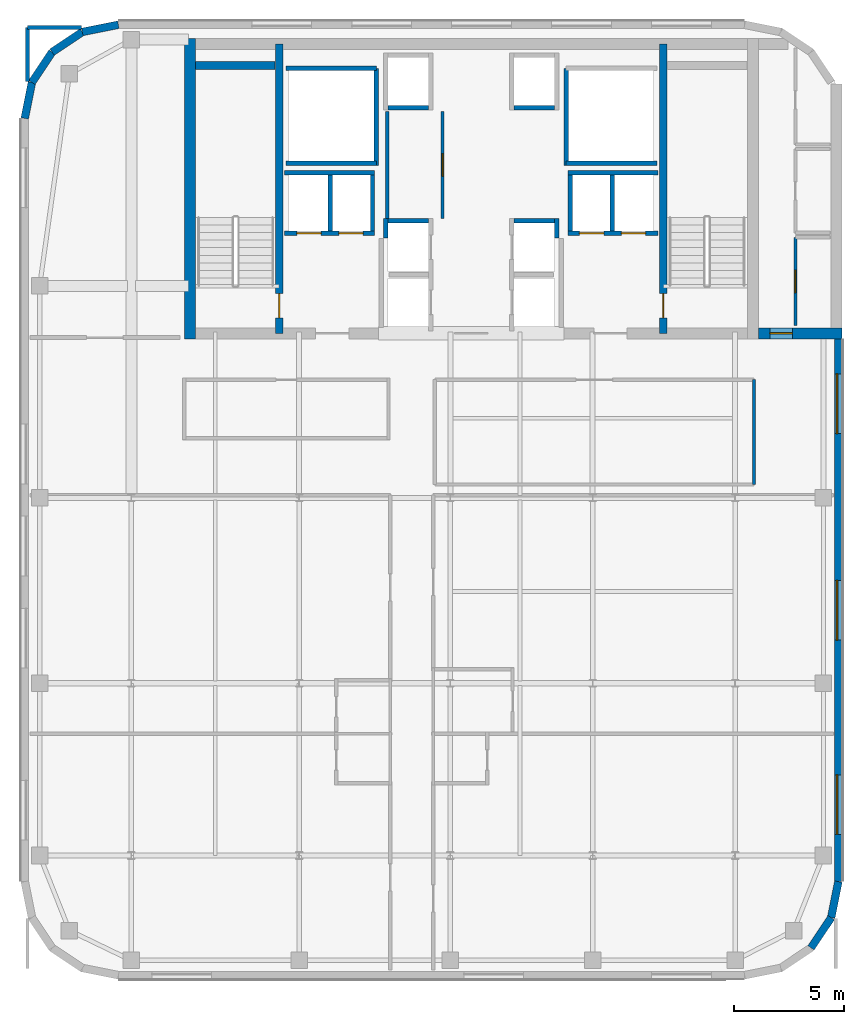
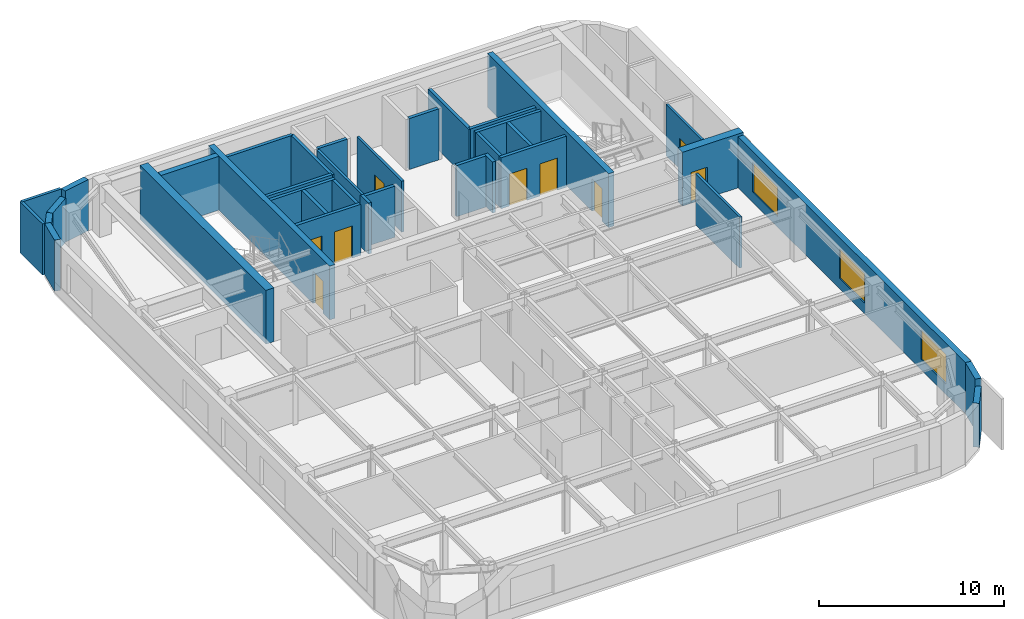
# One storey, part 5 of 10: 37 walls, 9 doors, 3 windows, 12 openings.
"""IFC4 building model written with IfcOpenShell, lengths in metres."""

from ifc_helpers import new_model, si_unit, direction, frame, frame_2d, origin, place, context, subcontext, project, spatial, rectangle, extrude, source, transform, mapped, material, layer, layer_set, type_object, type_shapes, element, fill, save


model = new_model("IFC4")

# Units and contexts
model_context = context("Model", 3, precision=1e-05, world=origin(), true_north=direction((0.0, 1.0)))
body_context = subcontext(model_context, "Body", "Model", "MODEL_VIEW")
ifc_project = project(units=[si_unit("LENGTHUNIT", "METRE"), si_unit("AREAUNIT", "SQUARE_METRE"), si_unit("VOLUMEUNIT", "CUBIC_METRE"), si_unit("PLANEANGLEUNIT", "RADIAN"), si_unit("MASSUNIT", "GRAM", prefix="KILO")], contexts=[model_context])

# Site, building, storey
site_placement = place(None, origin())
site = spatial("IfcSite", under=ifc_project, at=site_placement, CompositionType="ELEMENT")
building_placement = place(site_placement, origin())
building = spatial("IfcBuilding", under=site, at=building_placement, Name="Tolvann Quenvar Hotel", CompositionType="ELEMENT")
storey_placement = place(building_placement, frame((0.0, 0.0, 220.35009765625)))
storey = spatial("IfcBuildingStorey", under=building, at=storey_placement, Name="L58", CompositionType="ELEMENT", Elevation=220.35009765625)

# Wall
ifc_material_1 = material(Name="Concrete N50 (50 MPa)", Category="concrete")
ifc_layer_1 = layer(ifc_material_1, 0.5)
ifc_layer_set_1 = layer_set([ifc_layer_1], Name="Concrete N50 (50 MPa)")
wall_type_1 = type_object("IfcWallType", Name="WALL_CORE_500", PredefinedType="SHEAR", material=ifc_layer_set_1)
wall_1_placement = place(storey_placement, frame((10.25, 31.60009765625, 0.0), z_axis=(0.0, 0.0, 1.0), x_axis=(0.0, 1.0, 0.0)))
element("IfcWall", 1, at=wall_1_placement, inside=storey, type_object=wall_type_1, Name="Rear Core W Shear Wall (L58)", PredefinedType="SHEAR", context=body_context, shape_type="SweptSolid", body=[
    extrude(rectangle(XDim=13.599853515625, YDim=0.5, at=frame_2d((6.7998046875, 0.0))), origin(), (0.0, 0.0, 1.0), 3.5498046875),
])

# Wall, opening, door
wall_2_placement = place(storey_placement, frame((36.0, 31.85009765625, 0.0), z_axis=(0.0, 0.0, 1.0), x_axis=(1.0, 0.0, 0.0)))
wall_2 = element("IfcWall", 2, at=wall_2_placement, inside=storey, type_object=wall_type_1, Name="Core East Annex Shear Wall ANN-S (L58)", PredefinedType="SHEAR", context=body_context, shape_type="SweptSolid", body=[
    extrude(rectangle(XDim=3.800048828125, YDim=0.5, at=frame_2d((1.89990234375, 0.0))), origin(), (0.0, 0.0, 1.0), 3.5498046875),
])
opening_1_placement = place(wall_2_placement, frame((1.5400390625, 0.0, 0.0), z_axis=(0.0, 0.0, 1.0), x_axis=(-1.0, 0.0, 0.0)))
opening_1 = element("IfcOpeningElement", 3, at=opening_1_placement, cuts=wall_2, Name="Opening HD-01", PredefinedType="OPENING", context=body_context, shape_type="SweptSolid", body=[
    extrude(rectangle(XDim=1.02001953125, YDim=2.030029296875, at=frame_2d((0.510009765625, 1.01513671875))), frame((0.0, 0.260009765625, 0.0), z_axis=(0.0, -1.0, 0.0), x_axis=(1.0, 0.0, 0.0)), (0.0, 0.0, 1.0), 0.52001953125),
])
ifc_material_2 = material(Name="Pressed galvanised steel fire-rated door set", Category="steel")
door_type_1 = type_object("IfcDoorType", Name="DOOR_BOH_1020", OperationType="NOTDEFINED", PredefinedType="DOOR", material=ifc_material_2)
shared_shape_1 = source(origin(), body_context, "Body", "SweptSolid", [
    extrude(rectangle(XDim=1.02001953125, YDim=2.030029296875, at=frame_2d((0.510009765625, 1.01513671875))), frame((0.0, 0.02490234375, 0.0), z_axis=(0.0, -1.0, 0.0), x_axis=(1.0, 0.0, 0.0)), (0.0, 0.0, 1.0), 0.050048828125),
])
type_shapes(door_type_1, [shared_shape_1])
door_1_placement = place(opening_1_placement, origin())
door_1 = element("IfcDoor", 4, at=door_1_placement, inside=storey, type_object=door_type_1, Name="Housekeeping Annex Fire Door (L58)", OperationType="SINGLE_SWING_LEFT", OverallHeight=2.030029296875, OverallWidth=1.02001953125, PredefinedType="DOOR", context=body_context, shape_type="MappedRepresentation", body=[
    mapped(shared_shape_1, transform((0.0, 0.0, 0.0), x_axis=(1.0, 0.0, 0.0), y_axis=(0.0, 1.0, 0.0), z_axis=(0.0, 0.0, 1.0), scale=1.0)),
])
fill(opening_1, door_1)

ifc_material_3 = material(Name="Concrete S65 (65 MPa)", Category="concrete")
ifc_layer_2 = layer(ifc_material_3, 0.35009765625)
ifc_layer_set_2 = layer_set([ifc_layer_2], Name="Concrete S65 (65 MPa)")
wall_type_2 = type_object("IfcWallType", Name="WALL_CORE_INT_350", PredefinedType="SHEAR", material=ifc_layer_set_2)
wall_3_placement = place(storey_placement, frame((14.300048828125, 31.85009765625, 0.0), z_axis=(0.0, 0.0, 1.0), x_axis=(0.0, 1.0, 0.0)))
wall_3 = element("IfcWall", 5, at=wall_3_placement, inside=storey, type_object=wall_type_2, Name="Core Internal Web Shear Wall WEB-W (L58)", PredefinedType="SHEAR", context=body_context, shape_type="SweptSolid", body=[
    extrude(rectangle(XDim=13.099853515625, YDim=0.35009765625, at=frame_2d((6.5498046875, 0.0))), origin(), (0.0, 0.0, 1.0), 3.5498046875),
])
opening_2_placement = place(wall_3_placement, frame((0.699951171875, 0.0, 0.0)))
opening_2 = element("IfcOpeningElement", 6, at=opening_2_placement, cuts=wall_3, Name="Opening FD-120", PredefinedType="OPENING", context=body_context, shape_type="SweptSolid", body=[
    extrude(rectangle(XDim=1.10009765625, YDim=2.1201171875, at=frame_2d((0.550048828125, 1.06005859375))), frame((0.0, 0.18505859375, 0.0), z_axis=(0.0, -1.0, 0.0), x_axis=(1.0, 0.0, 0.0)), (0.0, 0.0, 1.0), 0.3701171875),
])
door_type_2 = type_object("IfcDoorType", Name="DOOR_FIRE_STAIR_1100", OperationType="NOTDEFINED", PredefinedType="DOOR", material=ifc_material_2)
shared_shape_2 = source(origin(), body_context, "Body", "SweptSolid", [
    extrude(rectangle(XDim=1.10009765625, YDim=2.1201171875, at=frame_2d((0.550048828125, 1.06005859375))), frame((0.0, 0.02490234375, 0.0), z_axis=(0.0, -1.0, 0.0), x_axis=(1.0, 0.0, 0.0)), (0.0, 0.0, 1.0), 0.050048828125),
])
type_shapes(door_type_2, [shared_shape_2])
door_2_placement = place(opening_2_placement, origin())
door_2 = element("IfcDoor", 7, at=door_2_placement, inside=storey, type_object=door_type_2, Name="Exit Stair ST-C1 Fire Door (L58)", OperationType="SINGLE_SWING_LEFT", OverallHeight=2.1201171875, OverallWidth=1.10009765625, PredefinedType="DOOR", context=body_context, shape_type="MappedRepresentation", body=[
    mapped(shared_shape_2, transform((0.0, 0.0, 0.0), x_axis=(1.0, 0.0, 0.0), y_axis=(0.0, 1.0, 0.0), z_axis=(0.0, 0.0, 1.0), scale=1.0)),
])
fill(opening_2, door_2)

wall_4_placement = place(storey_placement, frame((31.699951171875, 31.85009765625, 0.0), z_axis=(0.0, 0.0, 1.0), x_axis=(0.0, 1.0, 0.0)))
wall_4 = element("IfcWall", 8, at=wall_4_placement, inside=storey, type_object=wall_type_2, Name="Core Internal Web Shear Wall WEB-E (L58)", PredefinedType="SHEAR", context=body_context, shape_type="SweptSolid", body=[
    extrude(rectangle(XDim=13.099853515625, YDim=0.35009765625, at=frame_2d((6.5498046875, 0.0))), origin(), (0.0, 0.0, 1.0), 3.5498046875),
])
opening_3_placement = place(wall_4_placement, frame((1.800048828125, 0.0, 0.0), z_axis=(0.0, 0.0, 1.0), x_axis=(-1.0, 0.0, 0.0)))
opening_3 = element("IfcOpeningElement", 9, at=opening_3_placement, cuts=wall_4, Name="Opening FD-120", PredefinedType="OPENING", context=body_context, shape_type="SweptSolid", body=[
    extrude(rectangle(XDim=1.10009765625, YDim=2.1201171875, at=frame_2d((0.550048828125, 1.06005859375))), frame((0.0, 0.18505859375, 0.0), z_axis=(0.0, -1.0, 0.0), x_axis=(1.0, 0.0, 0.0)), (0.0, 0.0, 1.0), 0.3701171875),
])
door_3_placement = place(opening_3_placement, origin())
door_3 = element("IfcDoor", 10, at=door_3_placement, inside=storey, type_object=door_type_2, Name="Exit Stair ST-C2 Fire Door (L58)", OperationType="SINGLE_SWING_RIGHT", OverallHeight=2.1201171875, OverallWidth=1.10009765625, PredefinedType="DOOR", context=body_context, shape_type="MappedRepresentation", body=[
    mapped(shared_shape_2, transform((0.0, 0.0, 0.0), x_axis=(1.0, 0.0, 0.0), y_axis=(0.0, 1.0, 0.0), z_axis=(0.0, 0.0, 1.0), scale=1.0)),
])
fill(opening_3, door_3)

# Walls
wall_5_placement = place(storey_placement, frame((10.52001953125, 43.97509765625, 0.0), z_axis=(0.0, 0.0, 1.0), x_axis=(1.0, 0.0, 0.0)))
element("IfcWall", 11, at=wall_5_placement, inside=storey, type_object=wall_type_2, Name="Core Stair North Closing Shear Wall STC1-N (L58)", PredefinedType="SHEAR", context=body_context, shape_type="SweptSolid", body=[
    extrude(rectangle(XDim=3.60009765625, YDim=0.35009765625, at=frame_2d((1.800048828125, 0.0))), origin(), (0.0, 0.0, 1.0), 3.5498046875),
])
ifc_material_4 = material(Name="Kiln-fired red and buff architectural clay brickwork and terracotta masonry", Category="masonry")
ifc_layer_3 = layer(ifc_material_4, 0.35009765625)
ifc_layer_set_3 = layer_set([ifc_layer_3], Name="Kiln-fired red and buff architectural clay brickwork and terracotta masonry")
wall_type_3 = type_object("IfcWallType", Name="WALL_EXT_BRICK_350", PredefinedType="SOLIDWALL", material=ifc_layer_set_3)
wall_6_placement = place(storey_placement, frame((38.385009765625, 4.014892578125, 0.0), z_axis=(0.0, 0.0, 1.0), x_axis=(0.555623290322, 0.831434158098, 0.0)))
element("IfcWall", 12, at=wall_6_placement, inside=storey, type_object=wall_type_3, Name="Exterior Chicago Brick Wall L58-E07", PredefinedType="SOLIDWALL", context=body_context, shape_type="SweptSolid", body=[
    extrude(rectangle(XDim=1.647216796875, YDim=0.35009765625, at=frame_2d((0.82373046875, 0.0))), origin(), (0.0, 0.0, 1.0), 2.89990234375),
])
wall_7_placement = place(storey_placement, frame((39.30029296875, 5.384521484375, 0.0), z_axis=(0.0, 0.0, 1.0), x_axis=(0.195072403631, 0.980788844421, 0.0)))
element("IfcWall", 13, at=wall_7_placement, inside=storey, type_object=wall_type_3, Name="Exterior Chicago Brick Wall L58-E08", PredefinedType="SOLIDWALL", context=body_context, shape_type="SweptSolid", body=[
    extrude(rectangle(XDim=1.66455078125, YDim=0.35009765625, at=frame_2d((0.832275390625, 0.0))), origin(), (0.0, 0.0, 1.0), 3.369873046875),
])

# Wall, openings, windows
wall_8_placement = place(storey_placement, frame((39.625, 7.01708984375, 0.0), z_axis=(0.0, 0.0, 1.0), x_axis=(0.0, 1.0, 0.0)))
wall_8 = element("IfcWall", 14, at=wall_8_placement, inside=storey, type_object=wall_type_3, Name="Exterior Chicago Brick Wall L58-E09", PredefinedType="SOLIDWALL", context=body_context, shape_type="SweptSolid", body=[
    extrude(rectangle(XDim=24.578857421875, YDim=0.35009765625, at=frame_2d((12.28955078125, 0.0))), origin(), (0.0, 0.0, 1.0), 3.369873046875),
])
opening_4_placement = place(wall_8_placement, frame((2.137939453125, 0.0, 0.679931640625)))
opening_4 = element("IfcOpeningElement", 15, at=opening_4_placement, cuts=wall_8, Name="Opening W-04", PredefinedType="OPENING", context=body_context, shape_type="SweptSolid", body=[
    extrude(rectangle(XDim=2.699951171875, YDim=1.949951171875, at=frame_2d((1.35009765625, 0.97509765625))), frame((0.0, 0.18505859375, 0.0), z_axis=(0.0, -1.0, 0.0), x_axis=(1.0, 0.0, 0.0)), (0.0, 0.0, 1.0), 0.3701171875),
])
opening_5_placement = place(wall_8_placement, frame((10.93896484375, 0.0, 0.679931640625)))
opening_5 = element("IfcOpeningElement", 16, at=opening_5_placement, cuts=wall_8, Name="Opening W-04", PredefinedType="OPENING", context=body_context, shape_type="SweptSolid", body=[
    extrude(rectangle(XDim=2.699951171875, YDim=1.949951171875, at=frame_2d((1.35009765625, 0.97509765625))), frame((0.0, 0.18505859375, 0.0), z_axis=(0.0, -1.0, 0.0), x_axis=(1.0, 0.0, 0.0)), (0.0, 0.0, 1.0), 0.3701171875),
])
opening_6_placement = place(wall_8_placement, frame((20.291015625, 0.0, 0.679931640625)))
opening_6 = element("IfcOpeningElement", 17, at=opening_6_placement, cuts=wall_8, Name="Opening W-04", PredefinedType="OPENING", context=body_context, shape_type="SweptSolid", body=[
    extrude(rectangle(XDim=2.699951171875, YDim=1.949951171875, at=frame_2d((1.35009765625, 0.97509765625))), frame((0.0, 0.18505859375, 0.0), z_axis=(0.0, -1.0, 0.0), x_axis=(1.0, 0.0, 0.0)), (0.0, 0.0, 1.0), 0.3701171875),
])
ifc_material_5 = material(Name="Thermally broken bronze-anodised aluminium frame with double low-E glazing", Category="aluminium")
window_type = type_object("IfcWindowType", Name="WIN_STE_2700x2150", PartitioningType="TRIPLE_PANEL_HORIZONTAL", PredefinedType="WINDOW", material=ifc_material_5)
shared_shape_3 = source(origin(), body_context, "Body", "SweptSolid", [
    extrude(rectangle(XDim=2.699951171875, YDim=1.949951171875, at=frame_2d((1.35009765625, 0.97509765625))), frame((0.0, 0.090087890625, 0.0), z_axis=(0.0, -1.0, 0.0), x_axis=(1.0, 0.0, 0.0)), (0.0, 0.0, 1.0), 0.06005859375),
])
type_shapes(window_type, [shared_shape_3])
window_1_placement = place(opening_4_placement, origin())
window_1 = element("IfcWindow", 18, at=window_1_placement, inside=storey, type_object=window_type, Name="Chicago Window W-04 (EW-L58-E09-W01)", OverallHeight=1.949951171875, OverallWidth=2.699951171875, PartitioningType="TRIPLE_PANEL_HORIZONTAL", PredefinedType="WINDOW", context=body_context, shape_type="MappedRepresentation", body=[
    mapped(shared_shape_3, transform((0.0, 0.0, 0.0), x_axis=(1.0, 0.0, 0.0), y_axis=(0.0, 1.0, 0.0), z_axis=(0.0, 0.0, 1.0), scale=1.0)),
])
fill(opening_4, window_1)
window_2_placement = place(opening_5_placement, origin())
window_2 = element("IfcWindow", 19, at=window_2_placement, inside=storey, type_object=window_type, Name="Chicago Window W-04 (EW-L58-E09-W02)", OverallHeight=1.949951171875, OverallWidth=2.699951171875, PartitioningType="TRIPLE_PANEL_HORIZONTAL", PredefinedType="WINDOW", context=body_context, shape_type="MappedRepresentation", body=[
    mapped(shared_shape_3, transform((0.0, 0.0, 0.0), x_axis=(1.0, 0.0, 0.0), y_axis=(0.0, 1.0, 0.0), z_axis=(0.0, 0.0, 1.0), scale=1.0)),
])
fill(opening_5, window_2)
window_3_placement = place(opening_6_placement, origin())
window_3 = element("IfcWindow", 20, at=window_3_placement, inside=storey, type_object=window_type, Name="Chicago Window W-04 (EW-L58-E09-W03)", OverallHeight=1.949951171875, OverallWidth=2.699951171875, PartitioningType="TRIPLE_PANEL_HORIZONTAL", PredefinedType="WINDOW", context=body_context, shape_type="MappedRepresentation", body=[
    mapped(shared_shape_3, transform((0.0, 0.0, 0.0), x_axis=(1.0, 0.0, 0.0), y_axis=(0.0, 1.0, 0.0), z_axis=(0.0, 0.0, 1.0), scale=1.0)),
])
fill(opening_6, window_3)

# Walls
wall_9_placement = place(storey_placement, frame((7.01708984375, 45.824951171875, 0.0), z_axis=(0.0, 0.0, 1.0), x_axis=(-0.980788844421, -0.195072403631, 0.0)))
element("IfcWall", 21, at=wall_9_placement, inside=storey, type_object=wall_type_3, Name="Exterior Chicago Brick Wall L58-E15", PredefinedType="SOLIDWALL", context=body_context, shape_type="SweptSolid", body=[
    extrude(rectangle(XDim=1.66455078125, YDim=0.35009765625, at=frame_2d((0.832275390625, 0.0))), origin(), (0.0, 0.0, 1.0), 3.369873046875),
])
for number, where, z_axis, x_axis, name in (
    (22, (5.384521484375, 45.500244140625, 0.0), (0.0, 0.0, 1.0), (-0.831502623162, -0.555520825599, 0.0), "Exterior Chicago Brick Wall L58-E16"),
    (23, (4.014892578125, 44.585205078125, 0.0), (0.0, 0.0, 1.0), (-0.555623290322, -0.831434158098, 0.0), "Exterior Chicago Brick Wall L58-E17"),
):
    element("IfcWall", number, at=place(storey_placement, frame(where, z_axis=z_axis, x_axis=x_axis)), inside=storey, type_object=wall_type_3, Name=name, PredefinedType="SOLIDWALL", context=body_context, shape_type="SweptSolid", body=[
        extrude(rectangle(XDim=1.647216796875, YDim=0.35009765625, at=frame_2d((0.82373046875, 0.0))), origin(), (0.0, 0.0, 1.0), 2.89990234375),
    ])
wall_10_placement = place(storey_placement, frame((3.099609375, 43.215576171875, 0.0), z_axis=(0.0, 0.0, 1.0), x_axis=(-0.195044345786, -0.980794424524, 0.0)))
element("IfcWall", 24, at=wall_10_placement, inside=storey, type_object=wall_type_3, Name="Exterior Chicago Brick Wall L58-E18", PredefinedType="SOLIDWALL", context=body_context, shape_type="SweptSolid", body=[
    extrude(rectangle(XDim=1.664794921875, YDim=0.35009765625, at=frame_2d((0.83251953125, 0.0))), origin(), (0.0, 0.0, 1.0), 3.369873046875),
])
ifc_material_6 = material(Name="Acoustic twin-stud fire-rated gypsum plasterboard partition")
ifc_layer_4 = layer(ifc_material_6, 0.179931640625)
ifc_layer_set_4 = layer_set([ifc_layer_4], Name="Acoustic twin-stud fire-rated gypsum plasterboard partition")
wall_type_4 = type_object("IfcWallType", Name="WALL_PART_ACOUSTIC_180", PredefinedType="PARTITIONING", material=ifc_layer_set_4)
for number, where, z_axis, x_axis, name in (
    (25, (2.89990234375, 45.699951171875, 0.0), (0.0, 0.0, 1.0), (1.0, 0.0, 0.0), "Interior Partition PT-SPC-L58-SAL-N"),
    (26, (2.89990234375, 43.2548828125, 0.0), (0.0, 0.0, 1.0), (0.0, 1.0, 0.0), "Interior Partition PT-SPC-L58-SAL-W"),
):
    element("IfcWall", number, at=place(storey_placement, frame(where, z_axis=z_axis, x_axis=x_axis)), inside=storey, type_object=wall_type_4, Name=name, PredefinedType="PARTITIONING", context=body_context, shape_type="SweptSolid", body=[
        extrude(rectangle(XDim=2.445068359375, YDim=0.179931640625, at=frame_2d((1.22265625, 0.0))), origin(), (0.0, 0.0, 1.0), 3.369873046875),
    ])

# Wall, opening, door
ifc_layer_5 = layer(ifc_material_6, 0.14990234375)
ifc_layer_set_5 = layer_set([ifc_layer_5], Name="Acoustic twin-stud fire-rated gypsum plasterboard partition")
wall_type_5 = type_object("IfcWallType", Name="WALL_PART_SUITE_150", PredefinedType="PARTITIONING", material=ifc_layer_set_5)
wall_11_placement = place(storey_placement, frame((21.699951171875, 37.050048828125, 0.0), z_axis=(0.0, 0.0, 1.0), x_axis=(0.0, 1.0, 0.0)))
wall_11 = element("IfcWall", 27, at=wall_11_placement, inside=storey, type_object=wall_type_5, Name="Interior Partition PT-SPC-L58-RECPM-1-ENT", PredefinedType="PARTITIONING", context=body_context, shape_type="SweptSolid", body=[
    extrude(rectangle(XDim=4.849853515625, YDim=0.14990234375, at=frame_2d((2.4248046875, 0.0))), origin(), (0.0, 0.0, 1.0), 3.369873046875),
])
opening_7_placement = place(wall_11_placement, frame((1.9150390625, 0.0, 0.0)))
opening_7 = element("IfcOpeningElement", 28, at=opening_7_placement, cuts=wall_11, Name="Opening HD-01", PredefinedType="OPENING", context=body_context, shape_type="SweptSolid", body=[
    extrude(rectangle(XDim=1.02001953125, YDim=2.030029296875, at=frame_2d((0.510009765625, 1.01513671875))), frame((0.0, 0.0849609375, 0.0), z_axis=(0.0, -1.0, 0.0), x_axis=(1.0, 0.0, 0.0)), (0.0, 0.0, 1.0), 0.169921875),
])
door_4_placement = place(opening_7_placement, origin())
door_4 = element("IfcDoor", 29, at=door_4_placement, inside=storey, type_object=door_type_1, Name="Interior Door DOOR-SPC-L58-RECPM-1", OperationType="SINGLE_SWING_LEFT", OverallHeight=2.030029296875, OverallWidth=1.02001953125, PredefinedType="DOOR", context=body_context, shape_type="MappedRepresentation", body=[
    mapped(shared_shape_1, transform((0.0, 0.0, 0.0), x_axis=(1.0, 0.0, 0.0), y_axis=(0.0, 1.0, 0.0), z_axis=(0.0, 0.0, 1.0), scale=1.0)),
])
fill(opening_7, door_4)

# Wall
wall_12_placement = place(storey_placement, frame((19.199951171875, 37.0400390625, 0.0), z_axis=(0.0, 0.0, 1.0), x_axis=(0.0, 1.0, 0.0)))
element("IfcWall", 30, at=wall_12_placement, inside=storey, type_object=wall_type_5, Name="Interior Partition PT-SPC-L58-RECPM-1-W", PredefinedType="PARTITIONING", context=body_context, shape_type="SweptSolid", body=[
    extrude(rectangle(XDim=4.85986328125, YDim=0.14990234375, at=frame_2d((2.429931640625, 0.0))), origin(), (0.0, 0.0, 1.0), 3.369873046875),
])

# Wall, opening, door
wall_13_placement = place(storey_placement, frame((37.679931640625, 32.199951171875, 0.0), z_axis=(0.0, 0.0, 1.0), x_axis=(0.0, 1.0, 0.0)))
wall_13 = element("IfcWall", 31, at=wall_13_placement, inside=storey, type_object=wall_type_5, Name="Interior Partition PT-SPC-L58-RECPL-1-W", PredefinedType="PARTITIONING", context=body_context, shape_type="SweptSolid", body=[
    extrude(rectangle(XDim=4.0, YDim=0.14990234375, at=frame_2d((2.0, 0.0))), origin(), (0.0, 0.0, 1.0), 3.369873046875),
])
opening_8_placement = place(wall_13_placement, frame((1.489990234375, 0.0, 0.0)))
opening_8 = element("IfcOpeningElement", 32, at=opening_8_placement, cuts=wall_13, Name="Opening HD-01", PredefinedType="OPENING", context=body_context, shape_type="SweptSolid", body=[
    extrude(rectangle(XDim=1.02001953125, YDim=2.030029296875, at=frame_2d((0.510009765625, 1.01513671875))), frame((0.0, 0.0849609375, 0.0), z_axis=(0.0, -1.0, 0.0), x_axis=(1.0, 0.0, 0.0)), (0.0, 0.0, 1.0), 0.169921875),
])
door_5_placement = place(opening_8_placement, origin())
door_5 = element("IfcDoor", 33, at=door_5_placement, inside=storey, type_object=door_type_1, Name="Interior Door DOOR-SPC-L58-RECPL-1", OperationType="SINGLE_SWING_RIGHT", OverallHeight=2.030029296875, OverallWidth=1.02001953125, PredefinedType="DOOR", context=body_context, shape_type="MappedRepresentation", body=[
    mapped(shared_shape_1, transform((0.0, 0.0, 0.0), x_axis=(1.0, 0.0, 0.0), y_axis=(0.0, 1.0, 0.0), z_axis=(0.0, 0.0, 1.0), scale=1.0)),
])
fill(opening_8, door_5)

# Walls
wall_14_placement = place(storey_placement, frame((35.800048828125, 25.0, 0.0), z_axis=(0.0, 0.0, 1.0), x_axis=(0.0, 1.0, 0.0)))
element("IfcWall", 34, at=wall_14_placement, inside=storey, type_object=wall_type_5, Name="Interior Partition PT-SPC-L58-LOUNGE-E", PredefinedType="PARTITIONING", context=body_context, shape_type="SweptSolid", body=[
    extrude(rectangle(XDim=4.75, YDim=0.14990234375, at=frame_2d((2.375, 0.0))), origin(), (0.0, 0.0, 1.0), 3.369873046875),
])
ifc_material_7 = material(Name="Concrete N40 (40 MPa)", Category="concrete")
ifc_layer_6 = layer(ifc_material_7, 0.199951171875)
ifc_layer_set_6 = layer_set([ifc_layer_6], Name="Concrete N40 (40 MPa)")
wall_type_6 = type_object("IfcWallType", Name="WALL_SHAFT_200", PredefinedType="SOLIDWALL", material=ifc_layer_set_6)
wall_15_placement = place(storey_placement, frame((18.699951171875, 39.449951171875, 0.0), z_axis=(0.0, 0.0, 1.0), x_axis=(0.0, 1.0, 0.0)))
element("IfcWall", 35, at=wall_15_placement, inside=storey, type_object=wall_type_6, Name="Service Riser W Shaft Wall IN (L58)", PredefinedType="SOLIDWALL", context=body_context, shape_type="SweptSolid", body=[
    extrude(rectangle(XDim=4.400146484375, YDim=0.199951171875, at=frame_2d((2.2001953125, 0.0))), origin(), (0.0, 0.0, 1.0), 3.369873046875),
])
for number, where, z_axis, x_axis, name in (
    (36, (14.60009765625, 39.550048828125, 0.0), (0.0, 0.0, 1.0), (1.0, 0.0, 0.0), "Service Riser W Shaft Wall S (L58)"),
    (37, (14.60009765625, 43.85009765625, 0.0), (0.0, 0.0, 1.0), (1.0, 0.0, 0.0), "Service Riser W Shaft Wall N (L58)"),
):
    element("IfcWall", number, at=place(storey_placement, frame(where, z_axis=z_axis, x_axis=x_axis)), inside=storey, type_object=wall_type_6, Name=name, PredefinedType="SOLIDWALL", context=body_context, shape_type="SweptSolid", body=[
        extrude(rectangle(XDim=4.099853515625, YDim=0.199951171875, at=frame_2d((2.0498046875, 0.0))), origin(), (0.0, 0.0, 1.0), 3.369873046875),
    ])
wall_16_placement = place(storey_placement, frame((27.300048828125, 39.449951171875, 0.0), z_axis=(0.0, 0.0, 1.0), x_axis=(0.0, 1.0, 0.0)))
element("IfcWall", 38, at=wall_16_placement, inside=storey, type_object=wall_type_6, Name="Service Riser E Shaft Wall IN (L58)", PredefinedType="SOLIDWALL", context=body_context, shape_type="SweptSolid", body=[
    extrude(rectangle(XDim=4.400146484375, YDim=0.199951171875, at=frame_2d((2.2001953125, 0.0))), origin(), (0.0, 0.0, 1.0), 3.369873046875),
])
wall_17_placement = place(storey_placement, frame((27.300048828125, 39.550048828125, 0.0), z_axis=(0.0, 0.0, 1.0), x_axis=(1.0, 0.0, 0.0)))
element("IfcWall", 39, at=wall_17_placement, inside=storey, type_object=wall_type_6, Name="Service Riser E Shaft Wall S (L58)", PredefinedType="SOLIDWALL", context=body_context, shape_type="SweptSolid", body=[
    extrude(rectangle(XDim=4.099853515625, YDim=0.199951171875, at=frame_2d((2.0498046875, 0.0))), origin(), (0.0, 0.0, 1.0), 3.369873046875),
])
wall_18_placement = place(storey_placement, frame((19.1298828125, 36.159912109375, 0.0), z_axis=(0.0, 0.0, 1.0), x_axis=(0.0, 1.0, 0.0)))
element("IfcWall", 40, at=wall_18_placement, inside=storey, type_object=wall_type_6, Name="Lift Bank E21.1C1 Hoistway Rear Wall (L58)", PredefinedType="SOLIDWALL", context=body_context, shape_type="SweptSolid", body=[
    extrude(rectangle(XDim=0.880126953125, YDim=0.199951171875, at=frame_2d((0.43994140625, 0.0))), origin(), (0.0, 0.0, 1.0), 3.369873046875),
])
for number, where, z_axis, x_axis, name in (
    (41, (19.22998046875, 36.93994140625, 0.0), (0.0, 0.0, 1.0), (1.0, 0.0, 0.0), "Lift Bank E21.1C1 Hoistway Cheek Wall 2 (L58)"),
    (42, (19.22998046875, 42.06005859375, 0.0), (0.0, 0.0, 1.0), (1.0, 0.0, 0.0), "Lift Bank E21.1C2 Hoistway Cheek Wall 1 (L58)"),
):
    element("IfcWall", number, at=place(storey_placement, frame(where, z_axis=z_axis, x_axis=x_axis)), inside=storey, type_object=wall_type_6, Name=name, PredefinedType="SOLIDWALL", context=body_context, shape_type="SweptSolid", body=[
        extrude(rectangle(XDim=1.840087890625, YDim=0.199951171875, at=frame_2d((0.919921875, 0.0))), origin(), (0.0, 0.0, 1.0), 3.369873046875),
    ])

# Wall, openings, doors
wall_19_placement = place(storey_placement, frame((27.375, 36.3798828125, 0.0), z_axis=(0.0, 0.0, 1.0), x_axis=(1.0, 0.0, 0.0)))
wall_19 = element("IfcWall", 43, at=wall_19_placement, inside=storey, type_object=wall_type_6, Name="Lift Bank SEC1 Hoistway Front Wall (L58)", PredefinedType="SOLIDWALL", context=body_context, shape_type="SweptSolid", body=[
    extrude(rectangle(XDim=4.074951171875, YDim=0.199951171875, at=frame_2d((2.03759765625, 0.0))), origin(), (0.0, 0.0, 1.0), 3.369873046875),
])
opening_9_placement = place(wall_19_placement, frame((0.52490234375, 0.0, 0.0)))
opening_9 = element("IfcOpeningElement", 44, at=opening_9_placement, cuts=wall_19, Name="Opening LD-01", PredefinedType="OPENING", context=body_context, shape_type="SweptSolid", body=[
    extrude(rectangle(XDim=1.10009765625, YDim=2.1201171875, at=frame_2d((0.550048828125, 1.06005859375))), frame((0.0, 0.10986328125, 0.0), z_axis=(0.0, -1.0, 0.0), x_axis=(1.0, 0.0, 0.0)), (0.0, 0.0, 1.0), 0.219970703125),
])
opening_10_placement = place(wall_19_placement, frame((2.425048828125, 0.0, 0.0)))
opening_10 = element("IfcOpeningElement", 45, at=opening_10_placement, cuts=wall_19, Name="Opening LD-01", PredefinedType="OPENING", context=body_context, shape_type="SweptSolid", body=[
    extrude(rectangle(XDim=1.10009765625, YDim=2.1201171875, at=frame_2d((0.550048828125, 1.06005859375))), frame((0.0, 0.10986328125, 0.0), z_axis=(0.0, -1.0, 0.0), x_axis=(1.0, 0.0, 0.0)), (0.0, 0.0, 1.0), 0.219970703125),
])
ifc_material_8 = material(Name="Brushed 316 stainless steel automatic sliding lift landing door", Category="steel")
door_type_3 = type_object("IfcDoorType", Name="DOOR_LIFT_SLIDE_1100", OperationType="NOTDEFINED", PredefinedType="DOOR", material=ifc_material_8)
shared_shape_4 = source(origin(), body_context, "Body", "SweptSolid", [
    extrude(rectangle(XDim=1.10009765625, YDim=2.1201171875, at=frame_2d((0.550048828125, 1.06005859375))), frame((0.0, 0.02490234375, 0.0), z_axis=(0.0, -1.0, 0.0), x_axis=(1.0, 0.0, 0.0)), (0.0, 0.0, 1.0), 0.050048828125),
])
type_shapes(door_type_3, [shared_shape_4])
door_6_placement = place(opening_9_placement, origin())
door_6 = element("IfcDoor", 46, at=door_6_placement, inside=storey, type_object=door_type_3, Name="Lift SV-2 Sliding Landing Door (L58)", OperationType="SLIDING_TO_LEFT", OverallHeight=2.1201171875, OverallWidth=1.10009765625, PredefinedType="DOOR", context=body_context, shape_type="MappedRepresentation", body=[
    mapped(shared_shape_4, transform((0.0, 0.0, 0.0), x_axis=(1.0, 0.0, 0.0), y_axis=(0.0, 1.0, 0.0), z_axis=(0.0, 0.0, 1.0), scale=1.0)),
])
fill(opening_9, door_6)
door_7_placement = place(opening_10_placement, origin())
door_7 = element("IfcDoor", 47, at=door_7_placement, inside=storey, type_object=door_type_3, Name="Lift FF-2 Sliding Landing Door (L58)", OperationType="SLIDING_TO_RIGHT", OverallHeight=2.1201171875, OverallWidth=1.10009765625, PredefinedType="DOOR", context=body_context, shape_type="MappedRepresentation", body=[
    mapped(shared_shape_4, transform((0.0, 0.0, 0.0), x_axis=(1.0, 0.0, 0.0), y_axis=(0.0, 1.0, 0.0), z_axis=(0.0, 0.0, 1.0), scale=1.0)),
])
fill(opening_10, door_7)

# Walls
wall_20_placement = place(storey_placement, frame((27.375, 39.1201171875, 0.0), z_axis=(0.0, 0.0, 1.0), x_axis=(1.0, 0.0, 0.0)))
element("IfcWall", 48, at=wall_20_placement, inside=storey, type_object=wall_type_6, Name="Lift Bank SEC1 Hoistway Rear Wall (L58)", PredefinedType="SOLIDWALL", context=body_context, shape_type="SweptSolid", body=[
    extrude(rectangle(XDim=4.074951171875, YDim=0.199951171875, at=frame_2d((2.03759765625, 0.0))), origin(), (0.0, 0.0, 1.0), 3.369873046875),
])
for number, where, z_axis, x_axis, name in (
    (49, (27.47509765625, 36.47998046875, 0.0), (0.0, 0.0, 1.0), (0.0, 1.0, 0.0), "Lift Bank SEC1 Hoistway Cheek Wall 1 (L58)"),
    (50, (29.387451171875, 36.47998046875, 0.0), (0.0, 0.0, 1.0), (0.0, 1.0, 0.0), "Lift Bank SEC1 Divider Wall 1 (L58)"),
):
    element("IfcWall", number, at=place(storey_placement, frame(where, z_axis=z_axis, x_axis=x_axis)), inside=storey, type_object=wall_type_6, Name=name, PredefinedType="SOLIDWALL", context=body_context, shape_type="SweptSolid", body=[
        extrude(rectangle(XDim=2.5400390625, YDim=0.199951171875, at=frame_2d((1.27001953125, 0.0))), origin(), (0.0, 0.0, 1.0), 3.369873046875),
    ])

# Wall, openings, doors
wall_21_placement = place(storey_placement, frame((14.550048828125, 36.3798828125, 0.0), z_axis=(0.0, 0.0, 1.0), x_axis=(1.0, 0.0, 0.0)))
wall_21 = element("IfcWall", 51, at=wall_21_placement, inside=storey, type_object=wall_type_6, Name="Lift Bank SWC1 Hoistway Front Wall (L58)", PredefinedType="SOLIDWALL", context=body_context, shape_type="SweptSolid", body=[
    extrude(rectangle(XDim=4.074951171875, YDim=0.199951171875, at=frame_2d((2.03759765625, 0.0))), origin(), (0.0, 0.0, 1.0), 3.369873046875),
])
opening_11_placement = place(wall_21_placement, frame((0.550048828125, 0.0, 0.0)))
opening_11 = element("IfcOpeningElement", 52, at=opening_11_placement, cuts=wall_21, Name="Opening LD-01", PredefinedType="OPENING", context=body_context, shape_type="SweptSolid", body=[
    extrude(rectangle(XDim=1.10009765625, YDim=2.1201171875, at=frame_2d((0.550048828125, 1.06005859375))), frame((0.0, 0.10986328125, 0.0), z_axis=(0.0, -1.0, 0.0), x_axis=(1.0, 0.0, 0.0)), (0.0, 0.0, 1.0), 0.219970703125),
])
opening_12_placement = place(wall_21_placement, frame((2.449951171875, 0.0, 0.0)))
opening_12 = element("IfcOpeningElement", 53, at=opening_12_placement, cuts=wall_21, Name="Opening LD-01", PredefinedType="OPENING", context=body_context, shape_type="SweptSolid", body=[
    extrude(rectangle(XDim=1.10009765625, YDim=2.1201171875, at=frame_2d((0.550048828125, 1.06005859375))), frame((0.0, 0.10986328125, 0.0), z_axis=(0.0, -1.0, 0.0), x_axis=(1.0, 0.0, 0.0)), (0.0, 0.0, 1.0), 0.219970703125),
])
door_8_placement = place(opening_11_placement, origin())
door_8 = element("IfcDoor", 54, at=door_8_placement, inside=storey, type_object=door_type_3, Name="Lift FF-1 Sliding Landing Door (L58)", OperationType="SLIDING_TO_LEFT", OverallHeight=2.1201171875, OverallWidth=1.10009765625, PredefinedType="DOOR", context=body_context, shape_type="MappedRepresentation", body=[
    mapped(shared_shape_4, transform((0.0, 0.0, 0.0), x_axis=(1.0, 0.0, 0.0), y_axis=(0.0, 1.0, 0.0), z_axis=(0.0, 0.0, 1.0), scale=1.0)),
])
fill(opening_11, door_8)
door_9_placement = place(opening_12_placement, origin())
door_9 = element("IfcDoor", 55, at=door_9_placement, inside=storey, type_object=door_type_3, Name="Lift SV-1 Sliding Landing Door (L58)", OperationType="SLIDING_TO_RIGHT", OverallHeight=2.1201171875, OverallWidth=1.10009765625, PredefinedType="DOOR", context=body_context, shape_type="MappedRepresentation", body=[
    mapped(shared_shape_4, transform((0.0, 0.0, 0.0), x_axis=(1.0, 0.0, 0.0), y_axis=(0.0, 1.0, 0.0), z_axis=(0.0, 0.0, 1.0), scale=1.0)),
])
fill(opening_12, door_9)

# Walls
wall_22_placement = place(storey_placement, frame((14.550048828125, 39.1201171875, 0.0), z_axis=(0.0, 0.0, 1.0), x_axis=(1.0, 0.0, 0.0)))
element("IfcWall", 56, at=wall_22_placement, inside=storey, type_object=wall_type_6, Name="Lift Bank SWC1 Hoistway Rear Wall (L58)", PredefinedType="SOLIDWALL", context=body_context, shape_type="SweptSolid", body=[
    extrude(rectangle(XDim=4.074951171875, YDim=0.199951171875, at=frame_2d((2.03759765625, 0.0))), origin(), (0.0, 0.0, 1.0), 3.369873046875),
])
for number, where, z_axis, x_axis, name in (
    (57, (18.52490234375, 36.47998046875, 0.0), (0.0, 0.0, 1.0), (0.0, 1.0, 0.0), "Lift Bank SWC1 Hoistway Cheek Wall 2 (L58)"),
    (58, (16.612548828125, 36.47998046875, 0.0), (0.0, 0.0, 1.0), (0.0, 1.0, 0.0), "Lift Bank SWC1 Divider Wall 1 (L58)"),
):
    element("IfcWall", number, at=place(storey_placement, frame(where, z_axis=z_axis, x_axis=x_axis)), inside=storey, type_object=wall_type_6, Name=name, PredefinedType="SOLIDWALL", context=body_context, shape_type="SweptSolid", body=[
        extrude(rectangle(XDim=2.5400390625, YDim=0.199951171875, at=frame_2d((1.27001953125, 0.0))), origin(), (0.0, 0.0, 1.0), 3.369873046875),
    ])
wall_23_placement = place(storey_placement, frame((26.8701171875, 36.159912109375, 0.0), z_axis=(0.0, 0.0, 1.0), x_axis=(0.0, 1.0, 0.0)))
element("IfcWall", 59, at=wall_23_placement, inside=storey, type_object=wall_type_6, Name="Lift Bank W24.9C1 Hoistway Rear Wall (L58)", PredefinedType="SOLIDWALL", context=body_context, shape_type="SweptSolid", body=[
    extrude(rectangle(XDim=0.880126953125, YDim=0.199951171875, at=frame_2d((0.43994140625, 0.0))), origin(), (0.0, 0.0, 1.0), 3.369873046875),
])
for number, where, z_axis, x_axis, name in (
    (60, (24.929931640625, 36.93994140625, 0.0), (0.0, 0.0, 1.0), (1.0, 0.0, 0.0), "Lift Bank W24.9C1 Hoistway Cheek Wall 2 (L58)"),
    (61, (24.929931640625, 42.06005859375, 0.0), (0.0, 0.0, 1.0), (1.0, 0.0, 0.0), "Lift Bank W24.9C2 Hoistway Cheek Wall 1 (L58)"),
):
    element("IfcWall", number, at=place(storey_placement, frame(where, z_axis=z_axis, x_axis=x_axis)), inside=storey, type_object=wall_type_6, Name=name, PredefinedType="SOLIDWALL", context=body_context, shape_type="SweptSolid", body=[
        extrude(rectangle(XDim=1.840087890625, YDim=0.199951171875, at=frame_2d((0.919921875, 0.0))), origin(), (0.0, 0.0, 1.0), 3.369873046875),
    ])

save(model, "model.ifc")
